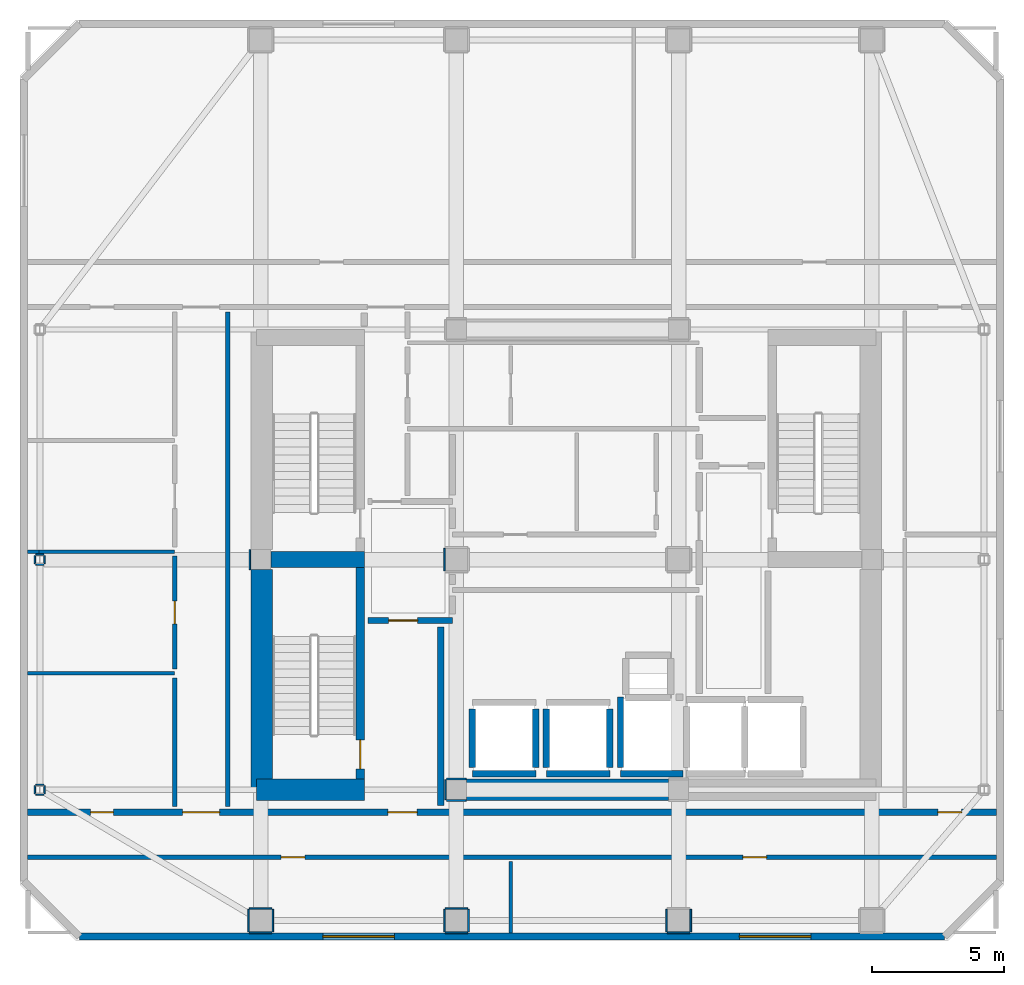
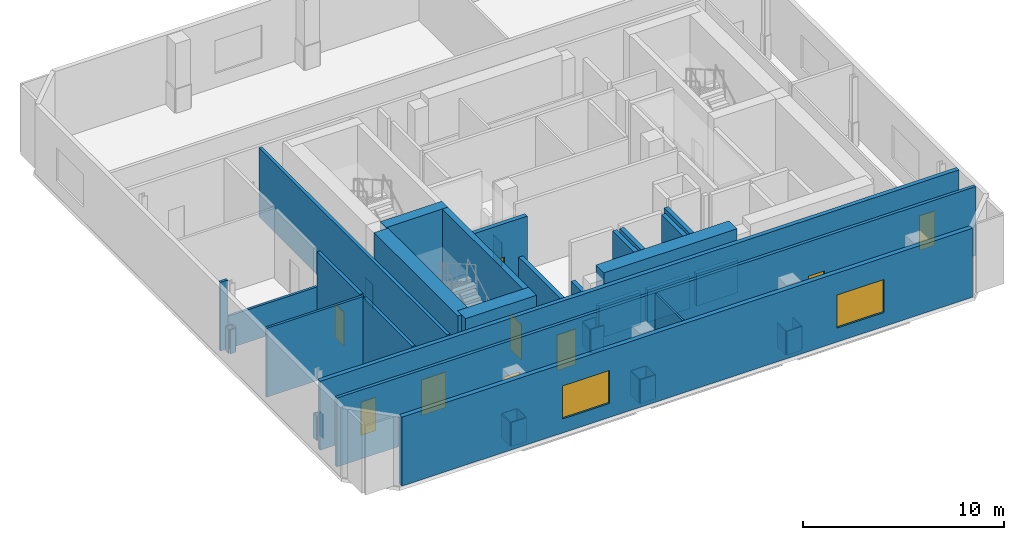
# One storey, part 4 of 9: 49 walls, 9 doors, 2 windows, 11 openings.
"""IFC4 building model written with IfcOpenShell, lengths in metres."""

from ifc_helpers import new_model, si_unit, direction, frame, frame_2d, origin, place, context, subcontext, project, spatial, rectangle, extrude, material, layer, layer_set, type_object, element, fill, save


model = new_model("IFC4")

# Units and contexts
model_context = context("Model", 3, precision=1e-05, world=origin(), true_north=direction((0.0, 1.0)))
body_context = subcontext(model_context, "Body", "Model", "MODEL_VIEW")
ifc_project = project(units=[si_unit("LENGTHUNIT", "METRE"), si_unit("AREAUNIT", "SQUARE_METRE"), si_unit("VOLUMEUNIT", "CUBIC_METRE"), si_unit("PLANEANGLEUNIT", "RADIAN"), si_unit("MASSUNIT", "GRAM", prefix="KILO")], contexts=[model_context])

# Site, building, storey
site_placement = place(None, origin())
site = spatial("IfcSite", under=ifc_project, at=site_placement, CompositionType="ELEMENT")
building_placement = place(site_placement, origin())
building = spatial("IfcBuilding", under=site, at=building_placement, Name="Solanera Arch Residences", CompositionType="ELEMENT")
storey_placement = place(building_placement, frame((0.0, 0.0, 273.47998046875)))
storey = spatial("IfcBuildingStorey", under=building, at=storey_placement, Name="L79", CompositionType="ELEMENT", Elevation=273.47998046875)

# Walls
ifc_material_1 = material(Name="Fire-Rated Gypsum Stud Partition", Category="gypsum")
ifc_layer_1 = layer(ifc_material_1, 0.06005859375)
ifc_layer_set_1 = layer_set([ifc_layer_1], Name="Fire-Rated Gypsum Stud Partition")
wall_type_1 = type_object("IfcWallType", Name="Column Acoustic Furring Wall 60", PredefinedType="PARTITIONING", material=ifc_layer_set_1)
for number, where, z_axis, x_axis, name in (
    (1, (20.425048828125, 21.593017578125, 0.0), (0.0, 0.0, 1.0), (1.0, 0.0, 0.0), "L79 Column Furring 1S"),
    (2, (20.425048828125, 22.406982421875, 0.0), (0.0, 0.0, 1.0), (1.0, 0.0, 0.0), "L79 Column Furring 1N"),
):
    element("IfcWall", number, at=place(storey_placement, frame(where, z_axis=z_axis, x_axis=x_axis)), inside=storey, type_object=wall_type_1, Name=name, PredefinedType="PARTITIONING", context=body_context, shape_type="SweptSolid", body=[
        extrude(rectangle(XDim=0.741943359375, YDim=0.06005859375, at=frame_2d((0.37109375, 0.0))), origin(), (0.0, 0.0, 1.0), 1.449951171875),
    ])
for number, where, z_axis, x_axis, name in (
    (3, (20.39306640625, 21.625, 0.0), (0.0, 0.0, 1.0), (0.0, 1.0, 0.0), "L79 Column Furring 1W"),
    (4, (12.992919921875, 30.324951171875, 0.0), (0.0, 0.0, 1.0), (0.0, 1.0, 0.0), "L79 Column Furring 5W"),
):
    element("IfcWall", number, at=place(storey_placement, frame(where, z_axis=z_axis, x_axis=x_axis)), inside=storey, type_object=wall_type_1, Name=name, PredefinedType="PARTITIONING", context=body_context, shape_type="SweptSolid", body=[
        extrude(rectangle(XDim=0.75, YDim=0.06005859375, at=frame_2d((0.375, 0.0))), origin(), (0.0, 0.0, 1.0), 1.449951171875),
    ])
wall_1_placement = place(storey_placement, frame((20.343017578125, 30.27490234375, 0.0), z_axis=(0.0, 0.0, 1.0), x_axis=(0.0, 1.0, 0.0)))
element("IfcWall", 5, at=wall_1_placement, inside=storey, type_object=wall_type_1, Name="L79 Column Furring 7W", PredefinedType="PARTITIONING", context=body_context, shape_type="SweptSolid", body=[
    extrude(rectangle(XDim=0.85009765625, YDim=0.06005859375, at=frame_2d((0.425048828125, 0.0))), origin(), (0.0, 0.0, 1.0), 1.449951171875),
])
for number, where, z_axis, x_axis, name in (
    (6, (12.97509765625, 16.593017578125, 0.0), (0.0, 0.0, 1.0), (1.0, 0.0, 0.0), "L79 Column Furring 9S"),
    (7, (12.97509765625, 17.507080078125, 0.0), (0.0, 0.0, 1.0), (1.0, 0.0, 0.0), "L79 Column Furring 9N"),
):
    element("IfcWall", number, at=place(storey_placement, frame(where, z_axis=z_axis, x_axis=x_axis)), inside=storey, type_object=wall_type_1, Name=name, PredefinedType="PARTITIONING", context=body_context, shape_type="SweptSolid", body=[
        extrude(rectangle(XDim=0.849853515625, YDim=0.06005859375, at=frame_2d((0.4248046875, 0.0))), origin(), (0.0, 0.0, 1.0), 1.449951171875),
    ])
for number, where, z_axis, x_axis, name in (
    (8, (12.943115234375, 16.625, 0.0), (0.0, 0.0, 1.0), (0.0, 1.0, 0.0), "L79 Column Furring 9W"),
    (9, (13.85693359375, 16.625, 0.0), (0.0, 0.0, 1.0), (0.0, 1.0, 0.0), "L79 Column Furring 9E"),
    (10, (20.375, 16.593017578125, 0.0), (0.0, 0.0, 1.0), (1.0, 0.0, 0.0), "L79 Column Furring 11S"),
    (11, (20.375, 17.507080078125, 0.0), (0.0, 0.0, 1.0), (1.0, 0.0, 0.0), "L79 Column Furring 11N"),
    (12, (20.343017578125, 16.625, 0.0), (0.0, 0.0, 1.0), (0.0, 1.0, 0.0), "L79 Column Furring 11W"),
    (13, (21.257080078125, 16.625, 0.0), (0.0, 0.0, 1.0), (0.0, 1.0, 0.0), "L79 Column Furring 11E"),
    (14, (28.77490234375, 16.593017578125, 0.0), (0.0, 0.0, 1.0), (1.0, 0.0, 0.0), "L79 Column Furring 13S"),
    (15, (28.742919921875, 16.625, 0.0), (0.0, 0.0, 1.0), (0.0, 1.0, 0.0), "L79 Column Furring 13W"),
    (16, (29.656982421875, 16.625, 0.0), (0.0, 0.0, 1.0), (0.0, 1.0, 0.0), "L79 Column Furring 13E"),
):
    element("IfcWall", number, at=place(storey_placement, frame(where, z_axis=z_axis, x_axis=x_axis)), inside=storey, type_object=wall_type_1, Name=name, PredefinedType="PARTITIONING", context=body_context, shape_type="SweptSolid", body=[
        extrude(rectangle(XDim=0.85009765625, YDim=0.06005859375, at=frame_2d((0.425048828125, 0.0))), origin(), (0.0, 0.0, 1.0), 1.449951171875),
    ])
for number, where, z_axis, x_axis, name in (
    (17, (4.89697265625, 21.81396484375, 0.0), (0.0, 0.0, 1.0), (1.0, 0.0, 0.0), "L79 Column Furring 17S"),
    (18, (4.89697265625, 22.18603515625, 0.0), (0.0, 0.0, 1.0), (1.0, 0.0, 0.0), "L79 Column Furring 17N"),
):
    element("IfcWall", number, at=place(storey_placement, frame(where, z_axis=z_axis, x_axis=x_axis)), inside=storey, type_object=wall_type_1, Name=name, PredefinedType="PARTITIONING", context=body_context, shape_type="SweptSolid", body=[
        extrude(rectangle(XDim=0.304931640625, YDim=0.06005859375, at=frame_2d((0.15234375, 0.0))), origin(), (0.0, 0.0, 1.0), 1.449951171875),
    ])
for number, where, z_axis, x_axis, name in (
    (19, (4.864990234375, 21.845947265625, 0.0), (0.0, 0.0, 1.0), (0.0, 1.0, 0.0), "L79 Column Furring 17W"),
    (20, (5.23388671875, 21.845947265625, 0.0), (0.0, 0.0, 1.0), (0.0, 1.0, 0.0), "L79 Column Furring 17E"),
):
    element("IfcWall", number, at=place(storey_placement, frame(where, z_axis=z_axis, x_axis=x_axis)), inside=storey, type_object=wall_type_1, Name=name, PredefinedType="PARTITIONING", context=body_context, shape_type="SweptSolid", body=[
        extrude(rectangle(XDim=0.30810546875, YDim=0.06005859375, at=frame_2d((0.154052734375, 0.0))), origin(), (0.0, 0.0, 1.0), 1.449951171875),
    ])
for number, where, z_axis, x_axis, name in (
    (21, (4.89697265625, 30.513916015625, 0.0), (0.0, 0.0, 1.0), (1.0, 0.0, 0.0), "L79 Column Furring 19S"),
    (22, (4.89697265625, 30.885986328125, 0.0), (0.0, 0.0, 1.0), (1.0, 0.0, 0.0), "L79 Column Furring 19N"),
):
    element("IfcWall", number, at=place(storey_placement, frame(where, z_axis=z_axis, x_axis=x_axis)), inside=storey, type_object=wall_type_1, Name=name, PredefinedType="PARTITIONING", context=body_context, shape_type="SweptSolid", body=[
        extrude(rectangle(XDim=0.304931640625, YDim=0.06005859375, at=frame_2d((0.15234375, 0.0))), origin(), (0.0, 0.0, 1.0), 1.449951171875),
    ])
for number, where, z_axis, x_axis, name in (
    (23, (4.864990234375, 30.5458984375, 0.0), (0.0, 0.0, 1.0), (0.0, 1.0, 0.0), "L79 Column Furring 19W"),
    (24, (5.23388671875, 30.5458984375, 0.0), (0.0, 0.0, 1.0), (0.0, 1.0, 0.0), "L79 Column Furring 19E"),
):
    element("IfcWall", number, at=place(storey_placement, frame(where, z_axis=z_axis, x_axis=x_axis)), inside=storey, type_object=wall_type_1, Name=name, PredefinedType="PARTITIONING", context=body_context, shape_type="SweptSolid", body=[
        extrude(rectangle(XDim=0.30810546875, YDim=0.06005859375, at=frame_2d((0.154052734375, 0.0))), origin(), (0.0, 0.0, 1.0), 1.449951171875),
    ])

# Wall, opening, door
ifc_material_2 = material(Name="Concrete C40/50 (f'c = 45 MPa)", Category="concrete")
ifc_layer_2 = layer(ifc_material_2, 0.320068359375)
ifc_layer_set_2 = layer_set([ifc_layer_2], Name="Concrete C40/50 (f'c = 45 MPa)")
wall_type_2 = type_object("IfcWallType", Name="Core Shear Wall CW-320", PredefinedType="SHEAR", material=ifc_layer_set_2)
wall_2_placement = place(storey_placement, frame((17.159912109375, 22.39990234375, 0.0), z_axis=(0.0, 0.0, 1.0), x_axis=(0.0, 1.0, 0.0)))
wall_2 = element("IfcWall", 25, at=wall_2_placement, inside=storey, type_object=wall_type_2, Name="L79 Stair ST-T3 East Shear Wall", PredefinedType="SHEAR", context=body_context, shape_type="SweptSolid", body=[
    extrude(rectangle(XDim=8.0, YDim=0.320068359375, at=frame_2d((4.0, 0.0))), origin(), (0.0, 0.0, 1.0), 4.60009765625),
])
opening_1_placement = place(wall_2_placement, frame((0.389892578125, 0.0, 0.0)))
opening_1 = element("IfcOpeningElement", 26, at=opening_1_placement, cuts=wall_2, Name="Opening DF-01", PredefinedType="OPENING", context=body_context, shape_type="SweptSolid", body=[
    extrude(rectangle(XDim=1.10009765625, YDim=2.14990234375, at=frame_2d((0.550048828125, 1.074951171875))), frame((0.0, 0.169921875, 0.0), z_axis=(0.0, -1.0, 0.0), x_axis=(1.0, 0.0, 0.0)), (0.0, 0.0, 1.0), 0.3401),
])
ifc_material_3 = material(Name="Fire-Rated Architectural Hardwood", Category="wood")
door_type_1 = type_object("IfcDoorType", Name="Stair Exit Fire Door DF-01", OperationType="NOTDEFINED", PredefinedType="DOOR", material=ifc_material_3)
door_1_placement = place(opening_1_placement, origin())
door_1 = element("IfcDoor", 27, at=door_1_placement, inside=storey, type_object=door_type_1, Name="DR-L79-STAIR-ST-T3", OperationType="SINGLE_SWING_RIGHT", OverallHeight=2.14990234375, OverallWidth=1.10009765625, PredefinedType="DOOR", context=body_context, shape_type="SweptSolid", body=[
    extrude(rectangle(XDim=1.10009765625, YDim=2.14990234375, at=frame_2d((0.550048828125, 1.074951171875))), frame((0.0, 0.02490234375, 0.0), z_axis=(0.0, -1.0, 0.0), x_axis=(1.0, 0.0, 0.0)), (0.0, 0.0, 1.0), 0.050048828125),
])
fill(opening_1, door_1)

# Walls
ifc_material_4 = material(Name="Concrete C40/50 (f'c = 45 MPa)", Category="concrete")
ifc_layer_3 = layer(ifc_material_4, 0.60009765625)
ifc_layer_set_3 = layer_set([ifc_layer_3], Name="Concrete C40/50 (f'c = 45 MPa)")
wall_type_3 = type_object("IfcWallType", Name="Core Shear Wall CW-600", PredefinedType="SHEAR", material=ifc_layer_set_3)
wall_3_placement = place(storey_placement, frame((13.780029296875, 30.699951171875, 0.0), z_axis=(0.0, 0.0, 1.0), x_axis=(1.0, 0.0, 0.0)))
element("IfcWall", 28, at=wall_3_placement, inside=storey, type_object=wall_type_3, Name="L79 West Stair Divider Shear Wall", PredefinedType="SHEAR", context=body_context, shape_type="SweptSolid", body=[
    extrude(rectangle(XDim=3.5400390625, YDim=0.60009765625, at=frame_2d((1.77001953125, 0.0))), origin(), (0.0, 0.0, 1.0), 4.60009765625),
])
ifc_material_5 = material(Name="Concrete C40/50 (f'c = 45 MPa)", Category="concrete")
ifc_layer_4 = layer(ifc_material_5, 0.800048828125)
ifc_layer_set_4 = layer_set([ifc_layer_4], Name="Concrete C40/50 (f'c = 45 MPa)")
wall_type_4 = type_object("IfcWallType", Name="Core Shear Wall CW-800", PredefinedType="SHEAR", material=ifc_layer_set_4)
wall_4_placement = place(storey_placement, frame((13.43994140625, 22.0, 0.0), z_axis=(0.0, 0.0, 1.0), x_axis=(0.0, 1.0, 0.0)))
element("IfcWall", 29, at=wall_4_placement, inside=storey, type_object=wall_type_4, Name="L79 West Core South Shear Wall", PredefinedType="SHEAR", context=body_context, shape_type="SweptSolid", body=[
    extrude(rectangle(XDim=8.320068359375, YDim=0.800048828125, at=frame_2d((4.16015625, 0.0))), origin(), (0.0, 0.0, 1.0), 4.60009765625),
])
wall_5_placement = place(storey_placement, frame((13.239990234375, 22.0, 0.0), z_axis=(0.0, 0.0, 1.0), x_axis=(1.0, 0.0, 0.0)))
element("IfcWall", 30, at=wall_5_placement, inside=storey, type_object=wall_type_4, Name="L79 South-West Core Shear Wall", PredefinedType="SHEAR", context=body_context, shape_type="SweptSolid", body=[
    extrude(rectangle(XDim=4.080078125, YDim=0.800048828125, at=frame_2d((2.0400390625, 0.0))), origin(), (0.0, 0.0, 1.0), 4.60009765625),
])
wall_6_placement = place(storey_placement, frame((21.179931640625, 22.0, 0.0), z_axis=(0.0, 0.0, 1.0), x_axis=(1.0, 0.0, 0.0)))
element("IfcWall", 31, at=wall_6_placement, inside=storey, type_object=wall_type_4, Name="L79 Central South Core Shear Wall", PredefinedType="SHEAR", context=body_context, shape_type="SweptSolid", body=[
    extrude(rectangle(XDim=7.64013671875, YDim=0.800048828125, at=frame_2d((3.820068359375, 0.0))), origin(), (0.0, 0.0, 1.0), 4.60009765625),
])

# Wall, openings, doors
ifc_material_6 = material(Name="Autoclaved Aerated Concrete Blockwork", Category="masonry")
ifc_layer_5 = layer(ifc_material_6, 0.179931640625)
ifc_layer_set_5 = layer_set([ifc_layer_5], Name="Autoclaved Aerated Concrete Blockwork")
wall_type_5 = type_object("IfcWallType", Name="Corridor Fire Partition 180", PredefinedType="PARTITIONING", material=ifc_layer_set_5)
wall_7_placement = place(storey_placement, frame((4.5869140625, 19.449951171875, 0.0), z_axis=(0.0, 0.0, 1.0), x_axis=(1.0, 0.0, 0.0)))
wall_7 = element("IfcWall", 32, at=wall_7_placement, inside=storey, type_object=wall_type_5, Name="L79 Interior Partition H6", PredefinedType="PARTITIONING", context=body_context, shape_type="SweptSolid", body=[
    extrude(rectangle(XDim=36.6259765625, YDim=0.179931640625, at=frame_2d((18.31298828125, 0.0))), origin(), (0.0, 0.0, 1.0), 4.179931640625),
])
opening_2_placement = place(wall_7_placement, frame((9.5869140625, 0.0, 0.0)))
opening_2 = element("IfcOpeningElement", 33, at=opening_2_placement, cuts=wall_7, Name="Opening DI-02", PredefinedType="OPENING", context=body_context, shape_type="SweptSolid", body=[
    extrude(rectangle(XDim=0.89990234375, YDim=2.10009765625, at=frame_2d((0.449951171875, 1.050048828125))), frame((0.0, 0.10009765625, 0.0), z_axis=(0.0, -1.0, 0.0), x_axis=(1.0, 0.0, 0.0)), (0.0, 0.0, 1.0), 0.1999),
])
opening_3_placement = place(wall_7_placement, frame((27.0390625, 0.0, 0.0)))
opening_3 = element("IfcOpeningElement", 34, at=opening_3_placement, cuts=wall_7, Name="Opening DI-02", PredefinedType="OPENING", context=body_context, shape_type="SweptSolid", body=[
    extrude(rectangle(XDim=0.89990234375, YDim=2.10009765625, at=frame_2d((0.449951171875, 1.050048828125))), frame((0.0, 0.10009765625, 0.0), z_axis=(0.0, -1.0, 0.0), x_axis=(1.0, 0.0, 0.0)), (0.0, 0.0, 1.0), 0.1999),
])
ifc_material_7 = material(Name="Fire-Rated Architectural Hardwood", Category="wood")
door_type_2 = type_object("IfcDoorType", Name="Suite Room Swing Door DI-02", OperationType="NOTDEFINED", PredefinedType="DOOR", material=ifc_material_7)
door_2_placement = place(opening_2_placement, origin())
door_2 = element("IfcDoor", 35, at=door_2_placement, inside=storey, type_object=door_type_2, Name="DR-L79-IN-016", OperationType="SINGLE_SWING_LEFT", OverallHeight=2.10009765625, OverallWidth=0.89990234375, PredefinedType="DOOR", context=body_context, shape_type="SweptSolid", body=[
    extrude(rectangle(XDim=0.89990234375, YDim=2.10009765625, at=frame_2d((0.449951171875, 1.050048828125))), frame((0.0, 0.02490234375, 0.0), z_axis=(0.0, -1.0, 0.0), x_axis=(1.0, 0.0, 0.0)), (0.0, 0.0, 1.0), 0.050048828125),
])
fill(opening_2, door_2)
door_3_placement = place(opening_3_placement, origin())
door_3 = element("IfcDoor", 36, at=door_3_placement, inside=storey, type_object=door_type_2, Name="DR-L79-IN-017", OperationType="SINGLE_SWING_RIGHT", OverallHeight=2.10009765625, OverallWidth=0.89990234375, PredefinedType="DOOR", context=body_context, shape_type="SweptSolid", body=[
    extrude(rectangle(XDim=0.89990234375, YDim=2.10009765625, at=frame_2d((0.449951171875, 1.050048828125))), frame((0.0, 0.02490234375, 0.0), z_axis=(0.0, -1.0, 0.0), x_axis=(1.0, 0.0, 0.0)), (0.0, 0.0, 1.0), 0.050048828125),
])
fill(opening_3, door_3)

# Wall
wall_8_placement = place(storey_placement, frame((10.14990234375, 21.367919921875, 0.0), z_axis=(0.0, 0.0, 1.0), x_axis=(0.0, 1.0, 0.0)))
element("IfcWall", 37, at=wall_8_placement, inside=storey, type_object=wall_type_5, Name="L79 Interior Partition V7 1", PredefinedType="PARTITIONING", context=body_context, shape_type="SweptSolid", body=[
    extrude(rectangle(XDim=4.864013671875, YDim=0.179931640625, at=frame_2d((2.43212890625, 0.0))), origin(), (0.0, 0.0, 1.0), 4.179931640625),
])

# Wall, opening, door
wall_9_placement = place(storey_placement, frame((10.14990234375, 26.568115234375, 0.0), z_axis=(0.0, 0.0, 1.0), x_axis=(0.0, 1.0, 0.0)))
wall_9 = element("IfcWall", 38, at=wall_9_placement, inside=storey, type_object=wall_type_5, Name="L79 Interior Partition V7 2", PredefinedType="PARTITIONING", context=body_context, shape_type="SweptSolid", body=[
    extrude(rectangle(XDim=4.263916015625, YDim=0.179931640625, at=frame_2d((2.1318359375, 0.0))), origin(), (0.0, 0.0, 1.0), 4.179931640625),
])
opening_4_placement = place(wall_9_placement, frame((1.701904296875, 0.0, 0.0)))
opening_4 = element("IfcOpeningElement", 39, at=opening_4_placement, cuts=wall_9, Name="Opening DI-05", PredefinedType="OPENING", context=body_context, shape_type="SweptSolid", body=[
    extrude(rectangle(XDim=0.860107421875, YDim=2.02001953125, at=frame_2d((0.43017578125, 1.010009765625))), frame((0.0, 0.10009765625, 0.0), z_axis=(0.0, -1.0, 0.0), x_axis=(1.0, 0.0, 0.0)), (0.0, 0.0, 1.0), 0.1999),
])
ifc_material_8 = material(Name="Fire-Rated Architectural Hardwood", Category="wood")
door_type_3 = type_object("IfcDoorType", Name="Bathroom Swing Door DI-05", OperationType="NOTDEFINED", PredefinedType="DOOR", material=ifc_material_8)
door_4_placement = place(opening_4_placement, origin())
door_4 = element("IfcDoor", 40, at=door_4_placement, inside=storey, type_object=door_type_3, Name="DR-L79-IN-021", OperationType="SINGLE_SWING_RIGHT", OverallHeight=2.02001953125, OverallWidth=0.860107421875, PredefinedType="DOOR", context=body_context, shape_type="SweptSolid", body=[
    extrude(rectangle(XDim=0.860107421875, YDim=2.02001953125, at=frame_2d((0.43017578125, 1.010009765625))), frame((0.0, 0.02490234375, 0.0), z_axis=(0.0, -1.0, 0.0), x_axis=(1.0, 0.0, 0.0)), (0.0, 0.0, 1.0), 0.050048828125),
])
fill(opening_4, door_4)

# Wall
wall_10_placement = place(storey_placement, frame((12.14990234375, 21.367919921875, 0.0), z_axis=(0.0, 0.0, 1.0), x_axis=(0.0, 1.0, 0.0)))
element("IfcWall", 41, at=wall_10_placement, inside=storey, type_object=wall_type_5, Name="L79 Interior Partition V8", PredefinedType="PARTITIONING", context=body_context, shape_type="SweptSolid", body=[
    extrude(rectangle(XDim=18.694091796875, YDim=0.179931640625, at=frame_2d((9.34716796875, 0.0))), origin(), (0.0, 0.0, 1.0), 4.179931640625),
])

# Wall, openings, windows
ifc_material_9 = material(Name="Precast Concrete C35/45", Category="concrete")
ifc_layer_6 = layer(ifc_material_9, 0.260009765625)
ifc_layer_set_6 = layer_set([ifc_layer_6], Name="Precast Concrete C35/45")
wall_type_6 = type_object("IfcWallType", Name="Exterior Wall Precast Masonry-Frame 260", PredefinedType="STANDARD", material=ifc_layer_set_6)
wall_11_placement = place(storey_placement, frame((39.2548828125, 16.445068359375, 0.0), z_axis=(0.0, 0.0, 1.0), x_axis=(-1.0, 0.0, 0.0)))
wall_11 = element("IfcWall", 42, at=wall_11_placement, inside=storey, type_object=wall_type_6, Name="L79 Tower Exterior Precast Masonry-Frame Wall S", PredefinedType="STANDARD", context=body_context, shape_type="SweptSolid", body=[
    extrude(rectangle(XDim=32.7099609375, YDim=0.260009765625, at=frame_2d((16.35498046875, 0.0))), origin(), (0.0, 0.0, 1.0), 4.179931640625),
])
opening_5_placement = place(wall_11_placement, frame((20.804931640625, 0.0, 0.85009765625)))
opening_5 = element("IfcOpeningElement", 43, at=opening_5_placement, cuts=wall_11, Name="Opening W-09", PredefinedType="OPENING", context=body_context, shape_type="SweptSolid", body=[
    extrude(rectangle(XDim=2.699951171875, YDim=2.0, at=frame_2d((1.35009765625, 1.0))), frame((0.0, 0.139892578125, 0.0), z_axis=(0.0, -1.0, 0.0), x_axis=(1.0, 0.0, 0.0)), (0.0, 0.0, 1.0), 0.28),
])
opening_6_placement = place(wall_11_placement, frame((5.054931640625, 0.0, 0.85009765625)))
opening_6 = element("IfcOpeningElement", 44, at=opening_6_placement, cuts=wall_11, Name="Opening W-09", PredefinedType="OPENING", context=body_context, shape_type="SweptSolid", body=[
    extrude(rectangle(XDim=2.699951171875, YDim=2.0, at=frame_2d((1.35009765625, 1.0))), frame((0.0, 0.139892578125, 0.0), z_axis=(0.0, -1.0, 0.0), x_axis=(1.0, 0.0, 0.0)), (0.0, 0.0, 1.0), 0.28),
])
ifc_material_10 = material(Name="Double Glazed Low-E Laminated Glass", Category="glass")
window_type = type_object("IfcWindowType", Name="Punched Window W-09", PartitioningType="TRIPLE_PANEL_VERTICAL", PredefinedType="WINDOW", material=ifc_material_10)
window_1_placement = place(opening_5_placement, origin())
window_1 = element("IfcWindow", 45, at=window_1_placement, inside=storey, type_object=window_type, Name="L79 OBS-SW Punched Window", OverallHeight=2.0, OverallWidth=2.699951171875, PartitioningType="SINGLE_PANEL", PredefinedType="WINDOW", context=body_context, shape_type="SweptSolid", body=[
    extrude(rectangle(XDim=2.699951171875, YDim=2.0, at=frame_2d((1.35009765625, 1.0))), frame((0.0, 0.030029296875, 0.0), z_axis=(0.0, -1.0, 0.0), x_axis=(1.0, 0.0, 0.0)), (0.0, 0.0, 1.0), 0.06005859375),
])
fill(opening_5, window_1)
window_2_placement = place(opening_6_placement, origin())
window_2 = element("IfcWindow", 46, at=window_2_placement, inside=storey, type_object=window_type, Name="L79 VIP-SE Punched Window", OverallHeight=2.0, OverallWidth=2.699951171875, PartitioningType="SINGLE_PANEL", PredefinedType="WINDOW", context=body_context, shape_type="SweptSolid", body=[
    extrude(rectangle(XDim=2.699951171875, YDim=2.0, at=frame_2d((1.35009765625, 1.0))), frame((0.0, 0.030029296875, 0.0), z_axis=(0.0, -1.0, 0.0), x_axis=(1.0, 0.0, 0.0)), (0.0, 0.0, 1.0), 0.06005859375),
])
fill(opening_6, window_2)

# Walls
ifc_material_11 = material(Name="Autoclaved Aerated Concrete Blockwork", Category="masonry")
ifc_layer_7 = layer(ifc_material_11, 0.239990234375)
ifc_layer_set_7 = layer_set([ifc_layer_7], Name="Autoclaved Aerated Concrete Blockwork")
wall_type_7 = type_object("IfcWallType", Name="Shaft Wall Fire-Rated 240", PredefinedType="PARTITIONING", material=ifc_layer_set_7)
wall_12_placement = place(storey_placement, frame((21.39990234375, 22.60009765625, 0.0), z_axis=(0.0, 0.0, 1.0), x_axis=(1.0, 0.0, 0.0)))
element("IfcWall", 47, at=wall_12_placement, inside=storey, type_object=wall_type_7, Name="L79 Lift PL-OBS1 Hoistway Wall S", PredefinedType="PARTITIONING", context=body_context, shape_type="SweptSolid", body=[
    extrude(rectangle(XDim=2.400146484375, YDim=0.239990234375, at=frame_2d((1.2001953125, 0.0))), origin(), (0.0, 0.0, 1.0), 1.965087890625),
])
wall_13_placement = place(storey_placement, frame((21.39990234375, 22.847900390625, 0.0), z_axis=(0.0, 0.0, 1.0), x_axis=(0.0, 1.0, 0.0)))
element("IfcWall", 48, at=wall_13_placement, inside=storey, type_object=wall_type_7, Name="L79 Lift PL-OBS1 Hoistway Wall W", PredefinedType="PARTITIONING", context=body_context, shape_type="SweptSolid", body=[
    extrude(rectangle(XDim=2.2041015625, YDim=0.239990234375, at=frame_2d((1.10205078125, 0.0))), origin(), (0.0, 0.0, 1.0), 1.965087890625),
])
wall_14_placement = place(storey_placement, frame((23.800048828125, 22.847900390625, 0.0), z_axis=(0.0, 0.0, 1.0), x_axis=(0.0, 1.0, 0.0)))
element("IfcWall", 49, at=wall_14_placement, inside=storey, type_object=wall_type_7, Name="L79 Lift PL-OBS1 Hoistway Wall E", PredefinedType="PARTITIONING", context=body_context, shape_type="SweptSolid", body=[
    extrude(rectangle(XDim=2.2041015625, YDim=0.239990234375, at=frame_2d((1.10205078125, 0.0))), origin(), (0.0, 0.0, 1.0), 4.179931640625),
])
wall_15_placement = place(storey_placement, frame((24.199951171875, 22.60009765625, 0.0), z_axis=(0.0, 0.0, 1.0), x_axis=(1.0, 0.0, 0.0)))
element("IfcWall", 50, at=wall_15_placement, inside=storey, type_object=wall_type_7, Name="L79 Lift PL-OBS2 Hoistway Wall S", PredefinedType="PARTITIONING", context=body_context, shape_type="SweptSolid", body=[
    extrude(rectangle(XDim=2.400146484375, YDim=0.239990234375, at=frame_2d((1.2001953125, 0.0))), origin(), (0.0, 0.0, 1.0), 1.965087890625),
])
for number, where, z_axis, x_axis, name in (
    (51, (24.199951171875, 22.847900390625, 0.0), (0.0, 0.0, 1.0), (0.0, 1.0, 0.0), "L79 Lift PL-OBS2 Hoistway Wall W"),
    (52, (26.60009765625, 22.847900390625, 0.0), (0.0, 0.0, 1.0), (0.0, 1.0, 0.0), "L79 Lift PL-OBS2 Hoistway Wall E"),
):
    element("IfcWall", number, at=place(storey_placement, frame(where, z_axis=z_axis, x_axis=x_axis)), inside=storey, type_object=wall_type_7, Name=name, PredefinedType="PARTITIONING", context=body_context, shape_type="SweptSolid", body=[
        extrude(rectangle(XDim=2.2041015625, YDim=0.239990234375, at=frame_2d((1.10205078125, 0.0))), origin(), (0.0, 0.0, 1.0), 4.179931640625),
    ])
wall_16_placement = place(storey_placement, frame((27.0, 22.60009765625, 0.0), z_axis=(0.0, 0.0, 1.0), x_axis=(1.0, 0.0, 0.0)))
element("IfcWall", 53, at=wall_16_placement, inside=storey, type_object=wall_type_7, Name="L79 Lift SVL-1 Hoistway Wall S", PredefinedType="PARTITIONING", context=body_context, shape_type="SweptSolid", body=[
    extrude(rectangle(XDim=2.3720703125, YDim=0.239990234375, at=frame_2d((1.18603515625, 0.0))), origin(), (0.0, 0.0, 1.0), 1.965087890625),
])
wall_17_placement = place(storey_placement, frame((27.0, 22.847900390625, 0.0), z_axis=(0.0, 0.0, 1.0), x_axis=(0.0, 1.0, 0.0)))
element("IfcWall", 54, at=wall_17_placement, inside=storey, type_object=wall_type_7, Name="L79 Lift SVL-1 Hoistway Wall W", PredefinedType="PARTITIONING", context=body_context, shape_type="SweptSolid", body=[
    extrude(rectangle(XDim=2.650146484375, YDim=0.239990234375, at=frame_2d((1.3251953125, 0.0))), origin(), (0.0, 0.0, 1.0), 4.179931640625),
])

# Wall, openings, doors
wall_18_placement = place(storey_placement, frame((4.5869140625, 21.14990234375, 0.0), z_axis=(0.0, 0.0, 1.0), x_axis=(1.0, 0.0, 0.0)))
wall_18 = element("IfcWall", 55, at=wall_18_placement, inside=storey, type_object=wall_type_7, Name="L79 Interior Partition H1", PredefinedType="PARTITIONING", context=body_context, shape_type="SweptSolid", body=[
    extrude(rectangle(XDim=36.6259765625, YDim=0.239990234375, at=frame_2d((18.31298828125, 0.0))), origin(), (0.0, 0.0, 1.0), 4.179931640625),
])
opening_7_placement = place(wall_18_placement, frame((13.623046875, 0.0, 0.0)))
opening_7 = element("IfcOpeningElement", 56, at=opening_7_placement, cuts=wall_18, Name="Opening DF-02", PredefinedType="OPENING", context=body_context, shape_type="SweptSolid", body=[
    extrude(rectangle(XDim=1.10009765625, YDim=2.14990234375, at=frame_2d((0.550048828125, 1.074951171875))), frame((0.0, 0.1298828125, 0.0), z_axis=(0.0, -1.0, 0.0), x_axis=(1.0, 0.0, 0.0)), (0.0, 0.0, 1.0), 0.26),
])
opening_8_placement = place(wall_18_placement, frame((5.863037109375, 0.0, 0.0)))
opening_8 = element("IfcOpeningElement", 57, at=opening_8_placement, cuts=wall_18, Name="Opening DF-03", PredefinedType="OPENING", context=body_context, shape_type="SweptSolid", body=[
    extrude(rectangle(XDim=1.39990234375, YDim=2.14990234375, at=frame_2d((0.699951171875, 1.074951171875))), frame((0.0, 0.1298828125, 0.0), z_axis=(0.0, -1.0, 0.0), x_axis=(1.0, 0.0, 0.0)), (0.0, 0.0, 1.0), 0.26),
])
opening_9_placement = place(wall_18_placement, frame((2.382080078125, 0.0, 0.0)))
opening_9 = element("IfcOpeningElement", 58, at=opening_9_placement, cuts=wall_18, Name="Opening DI-05", PredefinedType="OPENING", context=body_context, shape_type="SweptSolid", body=[
    extrude(rectangle(XDim=0.860107421875, YDim=2.02001953125, at=frame_2d((0.43017578125, 1.010009765625))), frame((0.0, 0.1298828125, 0.0), z_axis=(0.0, -1.0, 0.0), x_axis=(1.0, 0.0, 0.0)), (0.0, 0.0, 1.0), 0.26),
])
opening_10_placement = place(wall_18_placement, frame((34.4140625, 0.0, 0.0)))
opening_10 = element("IfcOpeningElement", 59, at=opening_10_placement, cuts=wall_18, Name="Opening DI-02", PredefinedType="OPENING", context=body_context, shape_type="SweptSolid", body=[
    extrude(rectangle(XDim=0.89990234375, YDim=2.10009765625, at=frame_2d((0.449951171875, 1.050048828125))), frame((0.0, 0.1298828125, 0.0), z_axis=(0.0, -1.0, 0.0), x_axis=(1.0, 0.0, 0.0)), (0.0, 0.0, 1.0), 0.26),
])
door_5_placement = place(opening_9_placement, origin())
door_5 = element("IfcDoor", 60, at=door_5_placement, inside=storey, type_object=door_type_3, Name="DR-L79-IN-020", OperationType="SINGLE_SWING_LEFT", OverallHeight=2.02001953125, OverallWidth=0.860107421875, PredefinedType="DOOR", context=body_context, shape_type="SweptSolid", body=[
    extrude(rectangle(XDim=0.860107421875, YDim=2.02001953125, at=frame_2d((0.43017578125, 1.010009765625))), frame((0.0, 0.02490234375, 0.0), z_axis=(0.0, -1.0, 0.0), x_axis=(1.0, 0.0, 0.0)), (0.0, 0.0, 1.0), 0.050048828125),
])
fill(opening_9, door_5)
ifc_material_12 = material(Name="Fire-Rated Architectural Hardwood", Category="wood")
door_type_4 = type_object("IfcDoorType", Name="Corridor Smoke Door DF-03", OperationType="NOTDEFINED", PredefinedType="DOOR", material=ifc_material_12)
door_6_placement = place(opening_8_placement, origin())
door_6 = element("IfcDoor", 61, at=door_6_placement, inside=storey, type_object=door_type_4, Name="DR-L79-IN-011", OperationType="SINGLE_SWING_RIGHT", OverallHeight=2.14990234375, OverallWidth=1.39990234375, PredefinedType="DOOR", context=body_context, shape_type="SweptSolid", body=[
    extrude(rectangle(XDim=1.39990234375, YDim=2.14990234375, at=frame_2d((0.699951171875, 1.074951171875))), frame((0.0, 0.02490234375, 0.0), z_axis=(0.0, -1.0, 0.0), x_axis=(1.0, 0.0, 0.0)), (0.0, 0.0, 1.0), 0.050048828125),
])
fill(opening_8, door_6)
ifc_material_13 = material(Name="Fire-Rated Architectural Hardwood", Category="wood")
door_type_5 = type_object("IfcDoorType", Name="Firefighting Lobby Fire Door DF-02", OperationType="NOTDEFINED", PredefinedType="DOOR", material=ifc_material_13)
door_7_placement = place(opening_7_placement, origin())
door_7 = element("IfcDoor", 62, at=door_7_placement, inside=storey, type_object=door_type_5, Name="DR-L79-IN-008", OperationType="SINGLE_SWING_LEFT", OverallHeight=2.14990234375, OverallWidth=1.10009765625, PredefinedType="DOOR", context=body_context, shape_type="SweptSolid", body=[
    extrude(rectangle(XDim=1.10009765625, YDim=2.14990234375, at=frame_2d((0.550048828125, 1.074951171875))), frame((0.0, 0.02490234375, 0.0), z_axis=(0.0, -1.0, 0.0), x_axis=(1.0, 0.0, 0.0)), (0.0, 0.0, 1.0), 0.050048828125),
])
fill(opening_7, door_7)
door_8_placement = place(opening_10_placement, origin())
door_8 = element("IfcDoor", 63, at=door_8_placement, inside=storey, type_object=door_type_2, Name="DR-L79-IN-024", OperationType="SINGLE_SWING_LEFT", OverallHeight=2.10009765625, OverallWidth=0.89990234375, PredefinedType="DOOR", context=body_context, shape_type="SweptSolid", body=[
    extrude(rectangle(XDim=0.89990234375, YDim=2.10009765625, at=frame_2d((0.449951171875, 1.050048828125))), frame((0.0, 0.02490234375, 0.0), z_axis=(0.0, -1.0, 0.0), x_axis=(1.0, 0.0, 0.0)), (0.0, 0.0, 1.0), 0.050048828125),
])
fill(opening_10, door_8)

# Wall, opening, door
wall_19_placement = place(storey_placement, frame((17.449951171875, 28.39990234375, 0.0), z_axis=(0.0, 0.0, 1.0), x_axis=(1.0, 0.0, 0.0)))
wall_19 = element("IfcWall", 64, at=wall_19_placement, inside=storey, type_object=wall_type_7, Name="L79 Interior Partition H3", PredefinedType="PARTITIONING", context=body_context, shape_type="SweptSolid", body=[
    extrude(rectangle(XDim=3.199951171875, YDim=0.239990234375, at=frame_2d((1.60009765625, 0.0))), origin(), (0.0, 0.0, 1.0), 4.179931640625),
])
opening_11_placement = place(wall_19_placement, frame((0.783935546875, 0.0, 0.0)))
opening_11 = element("IfcOpeningElement", 65, at=opening_11_placement, cuts=wall_19, Name="Opening DF-02", PredefinedType="OPENING", context=body_context, shape_type="SweptSolid", body=[
    extrude(rectangle(XDim=1.10009765625, YDim=2.14990234375, at=frame_2d((0.550048828125, 1.074951171875))), frame((0.0, 0.1298828125, 0.0), z_axis=(0.0, -1.0, 0.0), x_axis=(1.0, 0.0, 0.0)), (0.0, 0.0, 1.0), 0.26),
])
door_9_placement = place(opening_11_placement, origin())
door_9 = element("IfcDoor", 66, at=door_9_placement, inside=storey, type_object=door_type_5, Name="DR-L79-IN-004", OperationType="SINGLE_SWING_LEFT", OverallHeight=2.14990234375, OverallWidth=1.10009765625, PredefinedType="DOOR", context=body_context, shape_type="SweptSolid", body=[
    extrude(rectangle(XDim=1.10009765625, YDim=2.14990234375, at=frame_2d((0.550048828125, 1.074951171875))), frame((0.0, 0.02490234375, 0.0), z_axis=(0.0, -1.0, 0.0), x_axis=(1.0, 0.0, 0.0)), (0.0, 0.0, 1.0), 0.050048828125),
])
fill(opening_11, door_9)

# Walls
wall_20_placement = place(storey_placement, frame((20.199951171875, 21.39794921875, 0.0), z_axis=(0.0, 0.0, 1.0), x_axis=(0.0, 1.0, 0.0)))
element("IfcWall", 67, at=wall_20_placement, inside=storey, type_object=wall_type_7, Name="L79 Interior Partition V2", PredefinedType="PARTITIONING", context=body_context, shape_type="SweptSolid", body=[
    extrude(rectangle(XDim=6.754150390625, YDim=0.239990234375, at=frame_2d((3.376953125, 0.0))), origin(), (0.0, 0.0, 1.0), 1.965087890625),
])
ifc_material_14 = material(Name="Fire-Rated Gypsum Stud Partition", Category="gypsum")
ifc_layer_8 = layer(ifc_material_14, 0.1201171875)
ifc_layer_set_8 = layer_set([ifc_layer_8], Name="Fire-Rated Gypsum Stud Partition")
wall_type_8 = type_object("IfcWallType", Name="Unit Drywall Partition 120", PredefinedType="PARTITIONING", material=ifc_layer_set_8)
wall_21_placement = place(storey_placement, frame((22.85009765625, 16.5869140625, 0.0), z_axis=(0.0, 0.0, 1.0), x_axis=(0.0, 1.0, 0.0)))
element("IfcWall", 68, at=wall_21_placement, inside=storey, type_object=wall_type_8, Name="L79 Interior Partition V12", PredefinedType="PARTITIONING", context=body_context, shape_type="SweptSolid", body=[
    extrude(rectangle(XDim=2.705078125, YDim=0.1201171875, at=frame_2d((1.3525390625, 0.0))), origin(), (0.0, 0.0, 1.0), 4.179931640625),
])
ifc_material_15 = material(Name="Autoclaved Aerated Concrete Blockwork", Category="masonry")
ifc_layer_9 = layer(ifc_material_15, 0.139892578125)
ifc_layer_set_9 = layer_set([ifc_layer_9], Name="Autoclaved Aerated Concrete Blockwork")
wall_type_9 = type_object("IfcWallType", Name="Wet-Room Partition 140", PredefinedType="PARTITIONING", material=ifc_layer_set_9)
wall_22_placement = place(storey_placement, frame((4.5869140625, 26.39990234375, 0.0), z_axis=(0.0, 0.0, 1.0), x_axis=(1.0, 0.0, 0.0)))
element("IfcWall", 69, at=wall_22_placement, inside=storey, type_object=wall_type_9, Name="L79 Interior Partition H14", PredefinedType="PARTITIONING", context=body_context, shape_type="SweptSolid", body=[
    extrude(rectangle(XDim=5.56298828125, YDim=0.139892578125, at=frame_2d((2.781494140625, 0.0))), origin(), (0.0, 0.0, 1.0), 4.179931640625),
])
wall_23_placement = place(storey_placement, frame((4.5869140625, 31.0, 0.0), z_axis=(0.0, 0.0, 1.0), x_axis=(1.0, 0.0, 0.0)))
element("IfcWall", 70, at=wall_23_placement, inside=storey, type_object=wall_type_9, Name="L79 Interior Partition H15 1", PredefinedType="PARTITIONING", context=body_context, shape_type="SweptSolid", body=[
    extrude(rectangle(XDim=0.423095703125, YDim=0.139892578125, at=frame_2d((0.21142578125, 0.0))), origin(), (0.0, 0.0, 1.0), 4.179931640625),
])
wall_24_placement = place(storey_placement, frame((5.010009765625, 31.0, 0.0), z_axis=(0.0, 0.0, 1.0), x_axis=(1.0, 0.0, 0.0)))
element("IfcWall", 71, at=wall_24_placement, inside=storey, type_object=wall_type_9, Name="L79 Interior Partition H15 2", PredefinedType="PARTITIONING", context=body_context, shape_type="SweptSolid", body=[
    extrude(rectangle(XDim=5.139892578125, YDim=0.139892578125, at=frame_2d((2.56982421875, 0.0))), origin(), (0.0, 0.0, 1.0), 1.965087890625),
])

save(model, "model.ifc")
